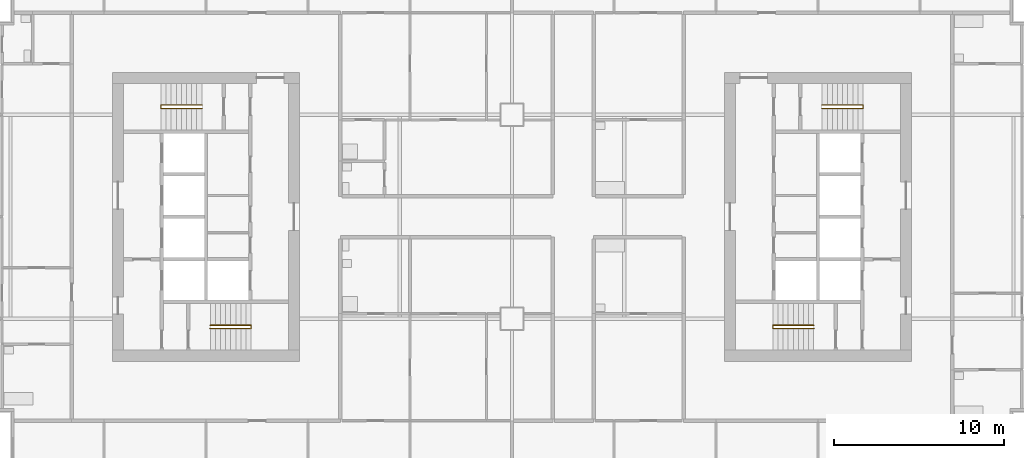
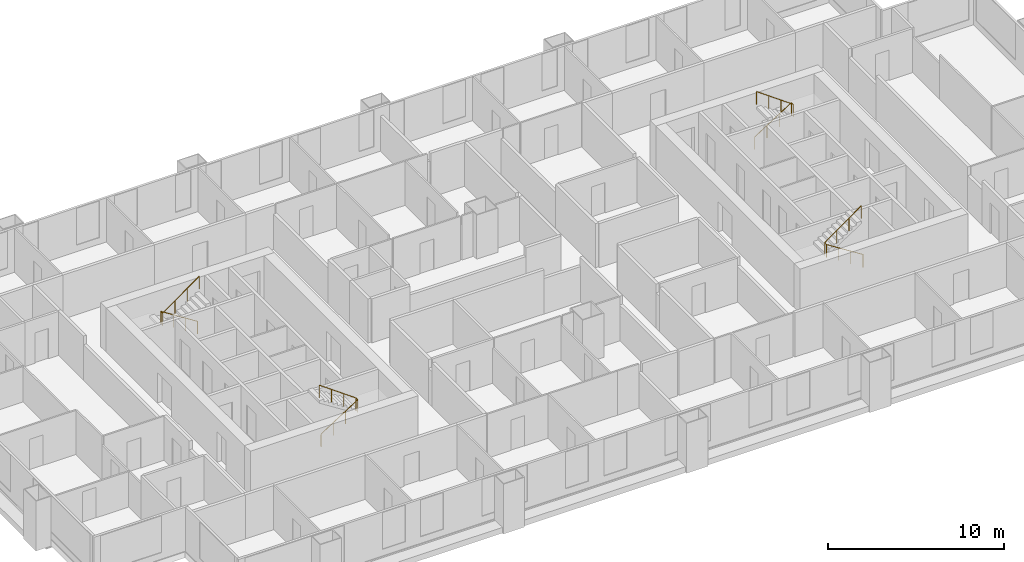
# One storey, part 11 of 12: 4 railings.
"""IFC4 building model written with IfcOpenShell, lengths in metres."""

from ifc_helpers import new_model, si_unit, direction, frame, origin, origin_2d, place, context, subcontext, project, spatial, circle, extrude, material, type_object, element, save


model = new_model("IFC4")

# Units and contexts
model_context = context("Model", 3, precision=1e-05, world=origin(), true_north=direction((0.0, 1.0)))
body_context = subcontext(model_context, "Body", "Model", "MODEL_VIEW")
ifc_project = project(units=[si_unit("LENGTHUNIT", "METRE"), si_unit("AREAUNIT", "SQUARE_METRE"), si_unit("VOLUMEUNIT", "CUBIC_METRE"), si_unit("PLANEANGLEUNIT", "RADIAN"), si_unit("MASSUNIT", "GRAM", prefix="KILO")], contexts=[model_context])

# Site, building, storey
site_placement = place(None, origin())
site = spatial("IfcSite", under=ifc_project, at=site_placement, CompositionType="ELEMENT")
building_placement = place(site_placement, origin())
building = spatial("IfcBuilding", under=site, at=building_placement, Name="Kitamizu Gate Tower and Museum", CompositionType="ELEMENT")
storey_placement = place(building_placement, frame((0.0, 0.0, 134.550048828125)))
storey = spatial("IfcBuildingStorey", under=building, at=storey_placement, Name="L35", CompositionType="ELEMENT", Elevation=134.550048828125)

# Railings
ifc_material = material(Name="Stainless steel SUS304", Category="steel")
railing_type = type_object("IfcRailingType", Name="Stair handrail 900", PredefinedType="HANDRAIL", material=ifc_material)
railing_1_placement = place(storey_placement, frame((18.25, 23.425048828125, 0.191650390625)))
element("IfcRailing", 1, at=railing_1_placement, inside=storey, type_object=railing_type, Name="Stair handrail ST1", PredefinedType="HANDRAIL", context=body_context, shape_type="SweptSolid", body=[
    extrude(circle(Radius=0.02392578125, at=origin_2d()), frame((0.0, 0.0, 0.8759765625), z_axis=(0.84270706373, 0.0, 0.538372366248), x_axis=(0.0, 1.0, 0.0)), (0.0, 0.0, 1.0), 2.847900390625),
    extrude(circle(Radius=0.02392578125, at=origin_2d()), frame((2.39990234375, 0.0, 2.4091796875), z_axis=(0.0, 1.0, 0.0), x_axis=(-1.0, 0.0, 0.0)), (0.0, 0.0, 1.0), 0.199951171875),
    extrude(circle(Radius=0.02392578125, at=origin_2d()), frame((2.39990234375, 0.199951171875, 2.4091796875), z_axis=(-0.811988456656, 0.0, 0.583673492852), x_axis=(0.0, -1.0, 0.0)), (0.0, 0.0, 1.0), 2.95556640625),
    extrude(circle(Radius=0.02099609375, at=origin_2d()), origin(), (0.0, 0.0, 1.0), 0.851806640625),
    extrude(circle(Radius=0.02099609375, at=origin_2d()), frame((0.800048828125, 0.0, 0.510986328125)), (0.0, 0.0, 1.0), 0.851806640625),
    extrude(circle(Radius=0.02099609375, at=origin_2d()), frame((1.599853515625, 0.0, 1.022216796875)), (0.0, 0.0, 1.0), 0.851806640625),
    extrude(circle(Radius=0.02099609375, at=origin_2d()), frame((2.39990234375, 0.0, 1.533203125)), (0.0, 0.0, 1.0), 0.851806640625),
    extrude(circle(Radius=0.02099609375, at=origin_2d()), frame((2.39990234375, 0.199951171875, 1.533203125)), (0.0, 0.0, 1.0), 0.851806640625),
    extrude(circle(Radius=0.02099609375, at=origin_2d()), frame((1.599853515625, 0.199951171875, 2.108154296875)), (0.0, 0.0, 1.0), 0.851806640625),
    extrude(circle(Radius=0.02099609375, at=origin_2d()), frame((0.800048828125, 0.199951171875, 2.683349609375)), (0.0, 0.0, 1.0), 0.851806640625),
    extrude(circle(Radius=0.02099609375, at=origin_2d()), frame((0.0, 0.199951171875, 3.25830078125)), (0.0, 0.0, 1.0), 0.851806640625),
])
railing_2_placement = place(storey_placement, frame((17.75, 36.574951171875, 0.191650390625)))
element("IfcRailing", 2, at=railing_2_placement, inside=storey, type_object=railing_type, Name="Stair handrail ST2", PredefinedType="HANDRAIL", context=body_context, shape_type="SweptSolid", body=[
    extrude(circle(Radius=0.02392578125, at=origin_2d()), frame((0.0, 0.0, 0.8759765625), z_axis=(-0.84270706373, 0.0, 0.538372366248), x_axis=(0.0, -1.0, 0.0)), (0.0, 0.0, 1.0), 2.847900390625),
    extrude(circle(Radius=0.02392578125, at=origin_2d()), frame((-2.39990234375, 0.0, 2.4091796875), z_axis=(0.0, -1.0, 0.0), x_axis=(1.0, 0.0, 0.0)), (0.0, 0.0, 1.0), 0.199951171875),
    extrude(circle(Radius=0.02392578125, at=origin_2d()), frame((-2.39990234375, -0.199951171875, 2.4091796875), z_axis=(0.811988456656, 0.0, 0.583673492852), x_axis=(0.0, 1.0, 0.0)), (0.0, 0.0, 1.0), 2.95556640625),
    extrude(circle(Radius=0.02099609375, at=origin_2d()), origin(), (0.0, 0.0, 1.0), 0.851806640625),
    extrude(circle(Radius=0.02099609375, at=origin_2d()), frame((-0.800048828125, 0.0, 0.510986328125)), (0.0, 0.0, 1.0), 0.851806640625),
    extrude(circle(Radius=0.02099609375, at=origin_2d()), frame((-1.599853515625, 0.0, 1.022216796875)), (0.0, 0.0, 1.0), 0.851806640625),
    extrude(circle(Radius=0.02099609375, at=origin_2d()), frame((-2.39990234375, 0.0, 1.533203125)), (0.0, 0.0, 1.0), 0.851806640625),
    extrude(circle(Radius=0.02099609375, at=origin_2d()), frame((-2.39990234375, -0.199951171875, 1.533203125)), (0.0, 0.0, 1.0), 0.851806640625),
    extrude(circle(Radius=0.02099609375, at=origin_2d()), frame((-1.599853515625, -0.199951171875, 2.108154296875)), (0.0, 0.0, 1.0), 0.851806640625),
    extrude(circle(Radius=0.02099609375, at=origin_2d()), frame((-0.800048828125, -0.199951171875, 2.683349609375)), (0.0, 0.0, 1.0), 0.851806640625),
    extrude(circle(Radius=0.02099609375, at=origin_2d()), frame((0.0, -0.199951171875, 3.25830078125)), (0.0, 0.0, 1.0), 0.851806640625),
])
railing_3_placement = place(storey_placement, frame((53.75, 23.425048828125, 0.191650390625)))
element("IfcRailing", 3, at=railing_3_placement, inside=storey, type_object=railing_type, Name="Stair handrail ST3", PredefinedType="HANDRAIL", context=body_context, shape_type="SweptSolid", body=[
    extrude(circle(Radius=0.02392578125, at=origin_2d()), frame((0.0, 0.0, 0.8759765625), z_axis=(-0.84270706373, 0.0, 0.538372366248), x_axis=(0.0, -1.0, 0.0)), (0.0, 0.0, 1.0), 2.847900390625),
    extrude(circle(Radius=0.02392578125, at=origin_2d()), frame((-2.39990234375, 0.0, 2.4091796875), z_axis=(0.0, 1.0, 0.0), x_axis=(-1.0, 0.0, 0.0)), (0.0, 0.0, 1.0), 0.199951171875),
    extrude(circle(Radius=0.02392578125, at=origin_2d()), frame((-2.39990234375, 0.199951171875, 2.4091796875), z_axis=(0.811988456656, 0.0, 0.583673492852), x_axis=(0.0, 1.0, 0.0)), (0.0, 0.0, 1.0), 2.95556640625),
    extrude(circle(Radius=0.02099609375, at=origin_2d()), origin(), (0.0, 0.0, 1.0), 0.851806640625),
    extrude(circle(Radius=0.02099609375, at=origin_2d()), frame((-0.800048828125, 0.0, 0.510986328125)), (0.0, 0.0, 1.0), 0.851806640625),
    extrude(circle(Radius=0.02099609375, at=origin_2d()), frame((-1.599853515625, 0.0, 1.022216796875)), (0.0, 0.0, 1.0), 0.851806640625),
    extrude(circle(Radius=0.02099609375, at=origin_2d()), frame((-2.39990234375, 0.0, 1.533203125)), (0.0, 0.0, 1.0), 0.851806640625),
    extrude(circle(Radius=0.02099609375, at=origin_2d()), frame((-2.39990234375, 0.199951171875, 1.533203125)), (0.0, 0.0, 1.0), 0.851806640625),
    extrude(circle(Radius=0.02099609375, at=origin_2d()), frame((-1.599853515625, 0.199951171875, 2.108154296875)), (0.0, 0.0, 1.0), 0.851806640625),
    extrude(circle(Radius=0.02099609375, at=origin_2d()), frame((-0.800048828125, 0.199951171875, 2.683349609375)), (0.0, 0.0, 1.0), 0.851806640625),
    extrude(circle(Radius=0.02099609375, at=origin_2d()), frame((0.0, 0.199951171875, 3.25830078125)), (0.0, 0.0, 1.0), 0.851806640625),
])
railing_4_placement = place(storey_placement, frame((54.25, 36.574951171875, 0.191650390625)))
element("IfcRailing", 4, at=railing_4_placement, inside=storey, type_object=railing_type, Name="Stair handrail ST4", PredefinedType="HANDRAIL", context=body_context, shape_type="SweptSolid", body=[
    extrude(circle(Radius=0.02392578125, at=origin_2d()), frame((0.0, 0.0, 0.8759765625), z_axis=(0.84270706373, 0.0, 0.538372366248), x_axis=(0.0, 1.0, 0.0)), (0.0, 0.0, 1.0), 2.847900390625),
    extrude(circle(Radius=0.02392578125, at=origin_2d()), frame((2.39990234375, 0.0, 2.4091796875), z_axis=(0.0, -1.0, 0.0), x_axis=(1.0, 0.0, 0.0)), (0.0, 0.0, 1.0), 0.199951171875),
    extrude(circle(Radius=0.02392578125, at=origin_2d()), frame((2.39990234375, -0.199951171875, 2.4091796875), z_axis=(-0.811988456656, 0.0, 0.583673492852), x_axis=(0.0, -1.0, 0.0)), (0.0, 0.0, 1.0), 2.95556640625),
    extrude(circle(Radius=0.02099609375, at=origin_2d()), origin(), (0.0, 0.0, 1.0), 0.851806640625),
    extrude(circle(Radius=0.02099609375, at=origin_2d()), frame((0.800048828125, 0.0, 0.510986328125)), (0.0, 0.0, 1.0), 0.851806640625),
    extrude(circle(Radius=0.02099609375, at=origin_2d()), frame((1.599853515625, 0.0, 1.022216796875)), (0.0, 0.0, 1.0), 0.851806640625),
    extrude(circle(Radius=0.02099609375, at=origin_2d()), frame((2.39990234375, 0.0, 1.533203125)), (0.0, 0.0, 1.0), 0.851806640625),
    extrude(circle(Radius=0.02099609375, at=origin_2d()), frame((2.39990234375, -0.199951171875, 1.533203125)), (0.0, 0.0, 1.0), 0.851806640625),
    extrude(circle(Radius=0.02099609375, at=origin_2d()), frame((1.599853515625, -0.199951171875, 2.108154296875)), (0.0, 0.0, 1.0), 0.851806640625),
    extrude(circle(Radius=0.02099609375, at=origin_2d()), frame((0.800048828125, -0.199951171875, 2.683349609375)), (0.0, 0.0, 1.0), 0.851806640625),
    extrude(circle(Radius=0.02099609375, at=origin_2d()), frame((0.0, -0.199951171875, 3.25830078125)), (0.0, 0.0, 1.0), 0.851806640625),
])

save(model, "model.ifc")
